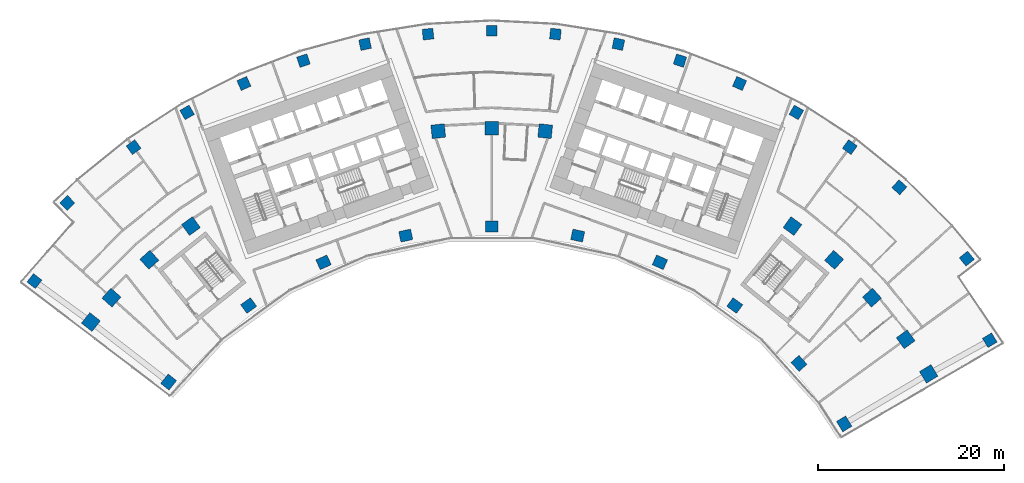
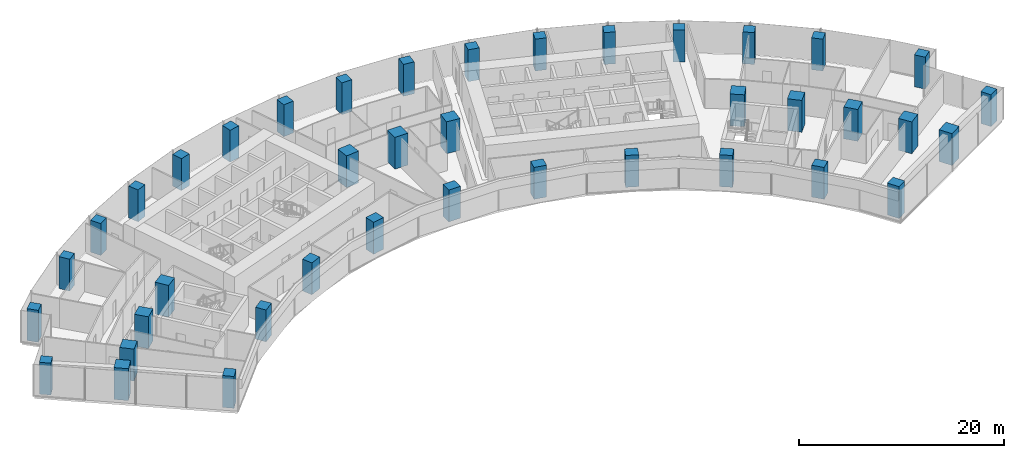
# One storey, part 1 of 21: 40 columns.
"""IFC4 building model written with IfcOpenShell, lengths in metres."""

from ifc_helpers import new_model, si_unit, direction, frame, origin, origin_2d, place, context, subcontext, project, spatial, rectangle, extrude, material, material_profile, profile_set, type_object, element, save


model = new_model("IFC4")

# Units and contexts
model_context = context("Model", 3, precision=1e-05, world=origin(), true_north=direction((0.0, 1.0)))
body_context = subcontext(model_context, "Body", "Model", "MODEL_VIEW")
ifc_project = project(units=[si_unit("LENGTHUNIT", "METRE"), si_unit("AREAUNIT", "SQUARE_METRE"), si_unit("VOLUMEUNIT", "CUBIC_METRE"), si_unit("PLANEANGLEUNIT", "RADIAN"), si_unit("MASSUNIT", "GRAM", prefix="KILO")], contexts=[model_context])

# Site, building, storey
site_placement = place(None, origin())
site = spatial("IfcSite", under=ifc_project, at=site_placement, CompositionType="ELEMENT")
building_placement = place(site_placement, origin())
building = spatial("IfcBuilding", under=site, at=building_placement, Name="Stone Belt Terrace Tower", CompositionType="ELEMENT")
storey_placement = place(building_placement, frame((0.0, 0.0, 90.800048828125)))
storey = spatial("IfcBuildingStorey", under=building, at=storey_placement, Name="L21", CompositionType="ELEMENT", Elevation=90.800048828125)

# Columns
ifc_material = material(Name="Concrete B80", Category="concrete")
ifc_material_profile_1 = material_profile(ifc_material, rectangle(XDim=1.14990234375, YDim=1.14990234375, at=origin_2d()), Name="RC 1150x1150")
ifc_profile_set_1 = profile_set([ifc_material_profile_1], Name="Concrete B80")
column_type_1 = type_object("IfcColumnType", Name="Column RC 1150x1150 B80", PredefinedType="COLUMN", material=ifc_profile_set_1)
for number, where, z_axis, x_axis, name in (
    (1, (-49.153564453125, 38.584716796875, 0.0), (0.0, 0.0, 1.0), (0.617467049123, 0.786596747545, 0.0), "Column L21 RA"),
    (2, (53.53662109375, 32.228515625, 0.0), (0.0, 0.0, 1.0), (0.515750011733, -0.856739123303, 0.0), "Column L21 RB"),
    (3, (-45.617919921875, 46.9873046875, 0.0), (0.0, 0.0, 1.0), (0.717483469981, 0.69657553094, 0.0), "Column L21 RNA"),
    (4, (-38.493408203125, 52.981689453125, 0.0), (0.0, 0.0, 1.0), (0.809016994375, 0.587785252292, 0.0), "Column L21 R16"),
    (5, (-32.744384765625, 56.715087890625, 0.0), (0.0, 0.0, 1.0), (0.866025403784, 0.5, 0.0), "Column L21 R17"),
    (6, (-26.63671875, 59.8271484375, 0.0), (0.0, 0.0, 1.0), (0.913545457643, 0.406736643076, 0.0), "Column L21 R18"),
    (7, (-20.2373046875, 62.28369140625, 0.0), (0.0, 0.0, 1.0), (0.951056516295, 0.309016994375, 0.0), "Column L21 R19"),
    (8, (-13.615966796875, 64.057861328125, 0.0), (0.0, 0.0, 1.0), (0.978147600734, 0.207911690818, 0.0), "Column L21 R20"),
    (9, (-6.845458984375, 65.130126953125, 0.0), (0.0, 0.0, 1.0), (0.994521895368, 0.104528463268, 0.0), "Column L21 R21"),
    (10, (0.0, 65.489013671875, 0.0), (0.0, 0.0, 1.0), (1.0, 0.0, 0.0), "Column L21 R22"),
    (11, (6.845458984375, 65.130126953125, 0.0), (0.0, 0.0, 1.0), (0.994521895368, -0.104528463268, 0.0), "Column L21 R23"),
    (12, (13.615966796875, 64.057861328125, 0.0), (0.0, 0.0, 1.0), (0.978147600734, -0.207911690818, 0.0), "Column L21 R24"),
    (13, (20.2373046875, 62.28369140625, 0.0), (0.0, 0.0, 1.0), (0.951056516295, -0.309016994375, 0.0), "Column L21 R25"),
    (14, (26.63671875, 59.8271484375, 0.0), (0.0, 0.0, 1.0), (0.913545457643, -0.406736643076, 0.0), "Column L21 R26"),
    (15, (32.744384765625, 56.715087890625, 0.0), (0.0, 0.0, 1.0), (0.866025403784, -0.5, 0.0), "Column L21 R27"),
    (16, (38.493408203125, 52.981689453125, 0.0), (0.0, 0.0, 1.0), (0.809016994375, -0.587785252292, 0.0), "Column L21 R28"),
    (17, (43.820556640625, 48.667724609375, 0.0), (0.0, 0.0, 1.0), (0.743144825477, -0.669130606359, 0.0), "Column L21 R29"),
    (18, (51.064208984375, 41.002685546875, 0.0), (0.0, 0.0, 1.0), (0.626104488961, -0.779739167224, 0.0), "Column L21 RNB"),
):
    element("IfcColumn", number, at=place(storey_placement, frame(where, z_axis=z_axis, x_axis=x_axis)), inside=storey, type_object=column_type_1, Name=name, PredefinedType="COLUMN", context=body_context, shape_type="SweptSolid", body=[
        extrude(rectangle(XDim=1.14990234375, YDim=1.14990234375, at=origin_2d()), origin(), (0.0, 0.0, 1.0), 3.800048828125),
    ])
ifc_material_profile_2 = material_profile(ifc_material, rectangle(XDim=1.300048828125, YDim=1.14990234375, at=origin_2d()), Name="RC 1300x1150")
ifc_profile_set_2 = profile_set([ifc_material_profile_2], Name="Concrete B80")
column_type_2 = type_object("IfcColumnType", Name="Column RC 1300x1150 B80", PredefinedType="COLUMN", material=ifc_profile_set_2)
for number, where, z_axis, x_axis, name in (
    (19, (-34.7333984375, 27.72998046875, 0.0), (0.0, 0.0, 1.0), (0.62391778826, 0.781489982977, 0.0), "Column L21 PA"),
    (20, (-26.1240234375, 35.956787109375, 0.0), (0.0, 0.0, 1.0), (0.809016994375, 0.587785252292, 0.0), "Column L21 P16"),
    (21, (-18.077392578125, 40.6025390625, 0.0), (0.0, 0.0, 1.0), (0.913545457643, 0.406736643076, 0.0), "Column L21 P18"),
    (22, (-9.240478515625, 43.473876953125, 0.0), (0.0, 0.0, 1.0), (0.978147600734, 0.207911690818, 0.0), "Column L21 P20"),
    (23, (0.0, 44.445068359375, 0.0), (0.0, 0.0, 1.0), (1.0, 0.0, 0.0), "Column L21 P22"),
    (24, (9.240478515625, 43.473876953125, 0.0), (0.0, 0.0, 1.0), (0.978147600734, -0.207911690818, 0.0), "Column L21 P24"),
    (25, (18.077392578125, 40.6025390625, 0.0), (0.0, 0.0, 1.0), (0.913545457643, -0.406736643076, 0.0), "Column L21 P26"),
    (26, (26.1240234375, 35.956787109375, 0.0), (0.0, 0.0, 1.0), (0.809016994375, -0.587785252292, 0.0), "Column L21 P28"),
    (27, (33.029052734375, 29.739501953125, 0.0), (0.0, 0.0, 1.0), (0.669130606359, -0.743144825477, 0.0), "Column L21 P30"),
    (28, (37.887939453125, 23.235107421875, 0.0), (0.0, 0.0, 1.0), (0.522781282168, -0.852466850391, 0.0), "Column L21 PB"),
):
    element("IfcColumn", number, at=place(storey_placement, frame(where, z_axis=z_axis, x_axis=x_axis)), inside=storey, type_object=column_type_2, Name=name, PredefinedType="COLUMN", context=body_context, shape_type="SweptSolid", body=[
        extrude(rectangle(XDim=1.300048828125, YDim=1.14990234375, at=origin_2d()), origin(), (0.0, 0.0, 1.0), 3.800048828125),
    ])
ifc_material_profile_3 = material_profile(ifc_material, rectangle(XDim=1.449951171875, YDim=1.449951171875, at=origin_2d()), Name="RC 1450x1450")
ifc_profile_set_3 = profile_set([ifc_material_profile_3], Name="Concrete B80")
column_type_3 = type_object("IfcColumnType", Name="Column RC 1450x1450 B80", PredefinedType="COLUMN", material=ifc_profile_set_3)
for number, where, z_axis, x_axis, name in (
    (29, (-43.086181640625, 34.1845703125, 0.0), (0.0, 0.0, 1.0), (0.621538894569, 0.783383304991, 0.0), "Column L21 QA"),
    (30, (-40.873046875, 36.80224609375, 0.0), (0.0, 0.0, 1.0), (0.669130606359, 0.743144825477, 0.0), "Column L21 Q14"),
    (31, (-36.80224609375, 40.873046875, 0.0), (0.0, 0.0, 1.0), (0.743144825477, 0.669130606359, 0.0), "Column L21 Q15"),
    (32, (-32.328125, 44.495849609375, 0.0), (0.0, 0.0, 1.0), (0.809016994375, 0.587785252292, 0.0), "Column L21 Q16"),
    (33, (-5.7490234375, 54.69873046875, 0.0), (0.0, 0.0, 1.0), (0.994521895368, 0.104528463268, 0.0), "Column L21 Q21"),
    (34, (0.0, 55.0, 0.0), (0.0, 0.0, 1.0), (1.0, 0.0, 0.0), "Column L21 Q22"),
    (35, (5.7490234375, 54.69873046875, 0.0), (0.0, 0.0, 1.0), (0.994521895368, -0.104528463268, 0.0), "Column L21 Q23"),
    (36, (32.328125, 44.495849609375, 0.0), (0.0, 0.0, 1.0), (0.809016994375, -0.587785252292, 0.0), "Column L21 Q28"),
    (37, (36.80224609375, 40.873046875, 0.0), (0.0, 0.0, 1.0), (0.743144825477, -0.669130606359, 0.0), "Column L21 Q29"),
    (38, (40.873046875, 36.80224609375, 0.0), (0.0, 0.0, 1.0), (0.669130606359, -0.743144825477, 0.0), "Column L21 Q30"),
    (39, (44.495849609375, 32.328125, 0.0), (0.0, 0.0, 1.0), (0.587785252292, -0.809016994375, 0.0), "Column L21 Q31"),
    (40, (46.972900390625, 28.610107421875, 0.0), (0.0, 0.0, 1.0), (0.520185570168, -0.854053260979, 0.0), "Column L21 QB"),
):
    element("IfcColumn", number, at=place(storey_placement, frame(where, z_axis=z_axis, x_axis=x_axis)), inside=storey, type_object=column_type_3, Name=name, PredefinedType="COLUMN", context=body_context, shape_type="SweptSolid", body=[
        extrude(rectangle(XDim=1.449951171875, YDim=1.449951171875, at=origin_2d()), origin(), (0.0, 0.0, 1.0), 3.800048828125),
    ])

save(model, "model.ifc")
